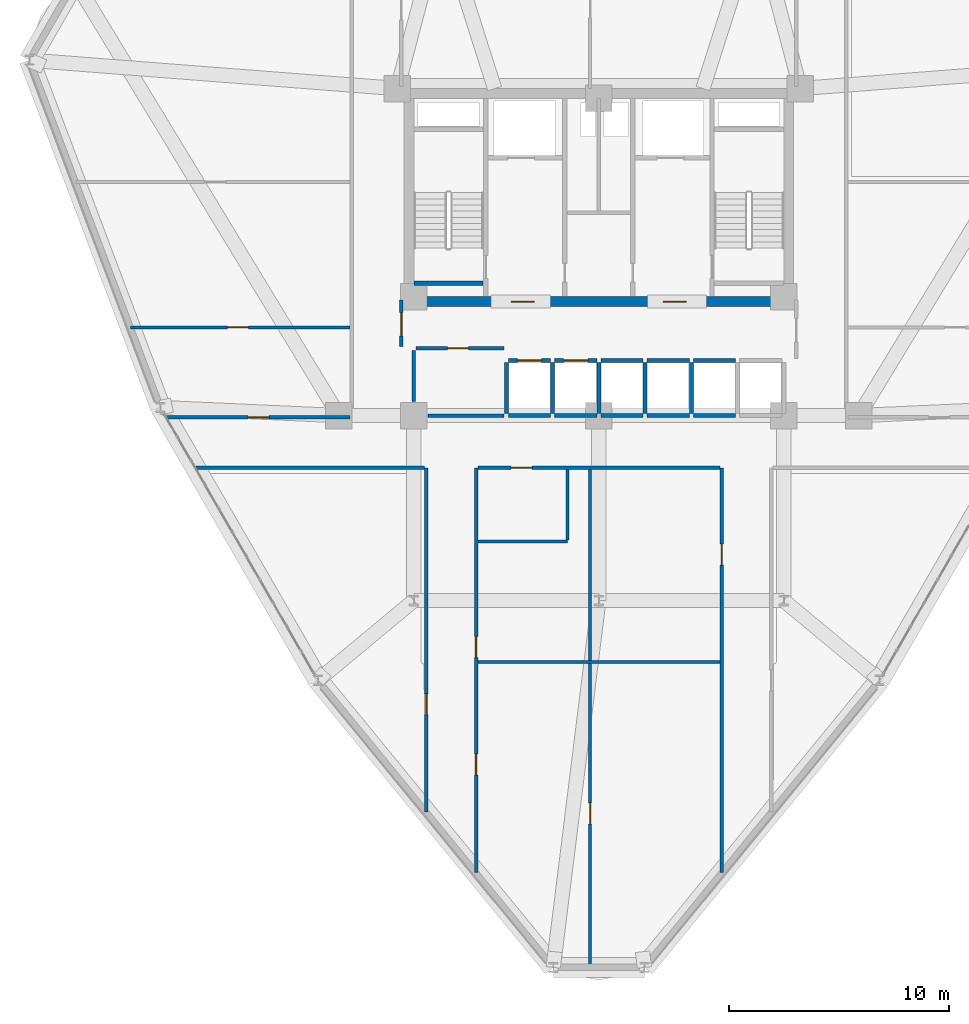
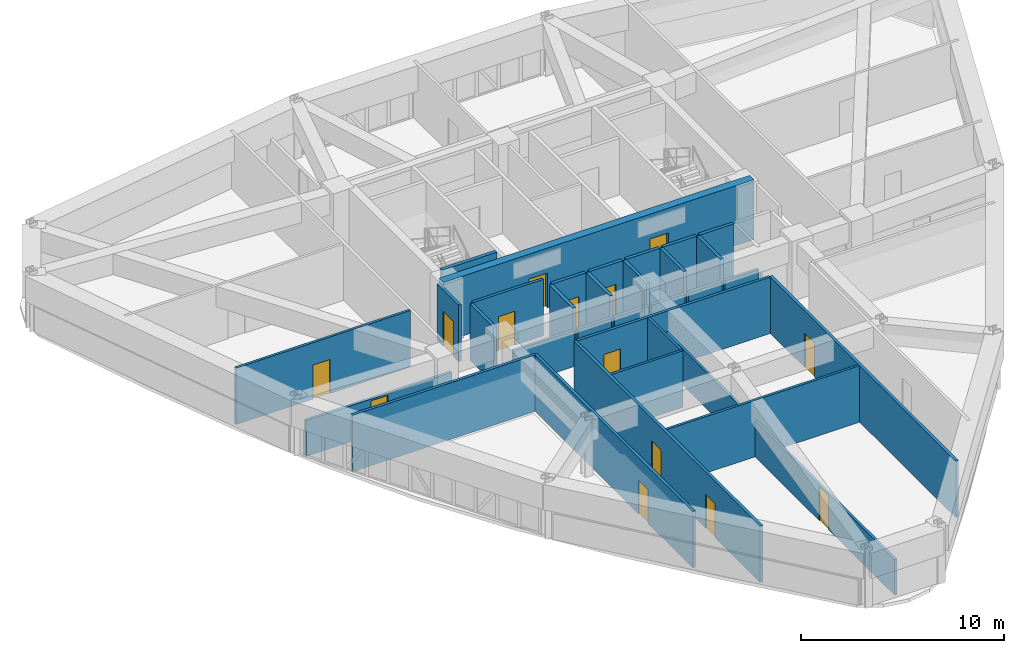
# One storey, part 12 of 16: 32 walls, 14 doors, 14 openings.
"""IFC4 building model written with IfcOpenShell, lengths in metres."""

from ifc_helpers import new_model, si_unit, derived_unit, direction, frame, frame_2d, origin, place, context, subcontext, project, spatial, rectangle, extrude, material, layer, layer_set, type_object, element, fill, save


model = new_model("IFC4")

# Units and contexts
model_context = context("Model", 3, precision=1e-05, world=origin(), true_north=direction((0.0, 1.0)))
body_context = subcontext(model_context, "Body", "Model", "MODEL_VIEW")
ifc_project = project(units=[si_unit("LENGTHUNIT", "METRE"), si_unit("AREAUNIT", "SQUARE_METRE"), si_unit("VOLUMEUNIT", "CUBIC_METRE"), si_unit("PLANEANGLEUNIT", "RADIAN"), si_unit("MASSUNIT", "GRAM", prefix="KILO"), derived_unit("THERMALTRANSMITTANCEUNIT", [(si_unit("POWERUNIT", "WATT"), 1), (si_unit("LENGTHUNIT", "METRE"), -2), (si_unit("THERMODYNAMICTEMPERATUREUNIT", "KELVIN"), -1)])], contexts=[model_context])

# Site, building, storey
site_placement = place(None, origin())
site = spatial("IfcSite", under=ifc_project, at=site_placement, CompositionType="ELEMENT")
building_placement = place(site_placement, origin())
building = spatial("IfcBuilding", under=site, at=building_placement, Name="Korsvarv Bourse and Concert Hall", CompositionType="ELEMENT")
storey_placement = place(building_placement, frame((0.0, 0.0, 106.199951171875)))
storey = spatial("IfcBuildingStorey", under=building, at=storey_placement, Name="L26", CompositionType="ELEMENT", Elevation=106.199951171875)

# Wall
ifc_material_1 = material(Name="Concrete C50/60", Category="concrete")
ifc_layer_1 = layer(ifc_material_1, 0.3798828125)
ifc_layer_set_1 = layer_set([ifc_layer_1], Name="Concrete C50/60")
wall_type_1 = type_object("IfcWallType", Name="WL-CORE-380", PredefinedType="SHEAR", material=ifc_layer_set_1)
wall_1_placement = place(storey_placement, frame((27.610107421875, 38.39990234375, 0.0), z_axis=(0.0, 0.0, 1.0), x_axis=(1.0, 0.0, 0.0)))
element("IfcWall", 1, at=wall_1_placement, inside=storey, type_object=wall_type_1, Name="L26 stair shaft structural wall W-L26-ST1-S", PredefinedType="SHEAR", context=body_context, shape_type="SweptSolid", body=[
    extrude(rectangle(XDim=3.139892578125, YDim=0.199951171875, at=frame_2d((1.56982421875, 0.0))), origin(), (0.0, 0.0, 1.0), 3.60009765625),
])

# Wall, openings, doors
ifc_material_2 = material(Name="Concrete C55/67", Category="concrete")
ifc_layer_2 = layer(ifc_material_2, 0.449951171875)
ifc_layer_set_2 = layer_set([ifc_layer_2], Name="Concrete C55/67")
wall_type_2 = type_object("IfcWallType", Name="WL-CORE-450", PredefinedType="SHEAR", material=ifc_layer_set_2)
wall_2_placement = place(storey_placement, frame((27.14990234375, 37.574951171875, 0.0), z_axis=(0.0, 0.0, 1.0), x_axis=(1.0, 0.0, 0.0)))
wall_2 = element("IfcWall", 2, at=wall_2_placement, inside=storey, type_object=wall_type_2, Name="L26 South Core Shear Wall", PredefinedType="SHEAR", context=body_context, shape_type="SweptSolid", body=[
    extrude(rectangle(XDim=17.7001953125, YDim=0.449951171875, at=frame_2d((8.85009765625, 0.0))), origin(), (0.0, 0.0, 1.0), 3.60009765625),
])
opening_1_placement = place(wall_2_placement, frame((4.875, 0.0, 0.0)))
opening_1 = element("IfcOpeningElement", 3, at=opening_1_placement, cuts=wall_2, Name="Opening D-01", PredefinedType="OPENING", context=body_context, shape_type="SweptSolid", body=[
    extrude(rectangle(XDim=1.050048828125, YDim=2.10009765625, at=frame_2d((0.52490234375, 1.050048828125))), frame((0.0, 0.23486328125, 0.0), z_axis=(0.0, -1.0, 0.0), x_axis=(1.0, 0.0, 0.0)), (0.0, 0.0, 1.0), 0.469970703125),
])
opening_2_placement = place(wall_2_placement, frame((11.77490234375, 0.0, 0.0)))
opening_2 = element("IfcOpeningElement", 4, at=opening_2_placement, cuts=wall_2, Name="Opening D-01", PredefinedType="OPENING", context=body_context, shape_type="SweptSolid", body=[
    extrude(rectangle(XDim=1.050048828125, YDim=2.10009765625, at=frame_2d((0.52490234375, 1.050048828125))), frame((0.0, 0.23486328125, 0.0), z_axis=(0.0, -1.0, 0.0), x_axis=(1.0, 0.0, 0.0)), (0.0, 0.0, 1.0), 0.469970703125),
])
ifc_material_3 = material(Name="Steel S355 fire door", Category="steel")
door_type_1 = type_object("IfcDoorType", Name="DR-FD60", OperationType="NOTDEFINED", PredefinedType="DOOR", material=ifc_material_3)
door_1_placement = place(opening_1_placement, frame((1.050048828125, 0.0, 0.0), z_axis=(0.0, 0.0, 1.0), x_axis=(-1.0, 0.0, 0.0)))
door_1 = element("IfcDoor", 5, at=door_1_placement, inside=storey, type_object=door_type_1, Name="L26 firefighting lobby fire door DR-L26-FFLW", OperationType="SINGLE_SWING_LEFT", OverallHeight=2.10009765625, OverallWidth=1.050048828125, PredefinedType="DOOR", context=body_context, shape_type="SweptSolid", body=[
    extrude(rectangle(XDim=1.050048828125, YDim=2.10009765625, at=frame_2d((0.52490234375, 1.050048828125))), frame((0.0, 0.02490234375, 0.0), z_axis=(0.0, -1.0, 0.0), x_axis=(1.0, 0.0, 0.0)), (0.0, 0.0, 1.0), 0.050048828125),
])
fill(opening_1, door_1)
door_2_placement = place(opening_2_placement, frame((1.050048828125, 0.0, 0.0), z_axis=(0.0, 0.0, 1.0), x_axis=(-1.0, 0.0, 0.0)))
door_2 = element("IfcDoor", 6, at=door_2_placement, inside=storey, type_object=door_type_1, Name="L26 firefighting lobby fire door DR-L26-FFLE", OperationType="SINGLE_SWING_RIGHT", OverallHeight=2.10009765625, OverallWidth=1.050048828125, PredefinedType="DOOR", context=body_context, shape_type="SweptSolid", body=[
    extrude(rectangle(XDim=1.050048828125, YDim=2.10009765625, at=frame_2d((0.52490234375, 1.050048828125))), frame((0.0, 0.02490234375, 0.0), z_axis=(0.0, -1.0, 0.0), x_axis=(1.0, 0.0, 0.0)), (0.0, 0.0, 1.0), 0.050048828125),
])
fill(opening_2, door_2)

# Walls
ifc_material_4 = material(Name="Double-stud fire-rated acoustic partition", Category="gypsum")
ifc_layer_3 = layer(ifc_material_4, 0.159912109375)
ifc_layer_set_3 = layer_set([ifc_layer_3], Name="Double-stud fire-rated acoustic partition")
wall_type_3 = type_object("IfcWallType", Name="WL-INT-EI60", PredefinedType="PARTITIONING", material=ifc_layer_set_3)
wall_3_placement = place(storey_placement, frame((28.25, 32.39990234375, 0.0), z_axis=(0.0, 0.0, 1.0), x_axis=(1.0, 0.0, 0.0)))
element("IfcWall", 7, at=wall_3_placement, inside=storey, type_object=wall_type_3, Name="L26 interior partition wall W-L26-FRD-S", PredefinedType="PARTITIONING", context=body_context, shape_type="SweptSolid", body=[
    extrude(rectangle(XDim=3.449951171875, YDim=0.159912109375, at=frame_2d((1.72509765625, 0.0))), origin(), (0.0, 0.0, 1.0), 2.16015625),
])
wall_4_placement = place(storey_placement, frame((27.60009765625, 33.050048828125, 0.0), z_axis=(0.0, 0.0, 1.0), x_axis=(0.0, 1.0, 0.0)))
element("IfcWall", 8, at=wall_4_placement, inside=storey, type_object=wall_type_3, Name="L26 interior partition wall W-L26-FRD-W", PredefinedType="PARTITIONING", context=body_context, shape_type="SweptSolid", body=[
    extrude(rectangle(XDim=2.31005859375, YDim=0.159912109375, at=frame_2d((1.155029296875, 0.0))), origin(), (0.0, 0.0, 1.0), 3.400146484375),
])

# Wall, opening, door
wall_5_placement = place(storey_placement, frame((27.68994140625, 35.449951171875, 0.0), z_axis=(0.0, 0.0, 1.0), x_axis=(1.0, 0.0, 0.0)))
wall_5 = element("IfcWall", 9, at=wall_5_placement, inside=storey, type_object=wall_type_3, Name="L26 interior partition wall W-L26-FRD-N", PredefinedType="PARTITIONING", context=body_context, shape_type="SweptSolid", body=[
    extrude(rectangle(XDim=4.010009765625, YDim=0.159912109375, at=frame_2d((2.0048828125, 0.0))), origin(), (0.0, 0.0, 1.0), 3.400146484375),
])
opening_3_placement = place(wall_5_placement, frame((1.449951171875, 0.0, 0.0)))
opening_3 = element("IfcOpeningElement", 10, at=opening_3_placement, cuts=wall_5, Name="Opening D-03", PredefinedType="OPENING", context=body_context, shape_type="SweptSolid", body=[
    extrude(rectangle(XDim=0.949951171875, YDim=2.050048828125, at=frame_2d((0.47509765625, 1.02490234375))), frame((0.0, 0.08984375, 0.0), z_axis=(0.0, -1.0, 0.0), x_axis=(1.0, 0.0, 0.0)), (0.0, 0.0, 1.0), 0.179931640625),
])
ifc_material_5 = material(Name="Nordic oak acoustic office door", Category="wood")
door_type_2 = type_object("IfcDoorType", Name="DR-INT-1", OperationType="NOTDEFINED", PredefinedType="DOOR", material=ifc_material_5)
door_3_placement = place(opening_3_placement, origin())
door_3 = element("IfcDoor", 11, at=door_3_placement, inside=storey, type_object=door_type_2, Name="L26 interior door DR-L26-FRDN1", OperationType="SINGLE_SWING_LEFT", OverallHeight=2.050048828125, OverallWidth=0.949951171875, PredefinedType="DOOR", context=body_context, shape_type="SweptSolid", body=[
    extrude(rectangle(XDim=0.949951171875, YDim=2.050048828125, at=frame_2d((0.47509765625, 1.02490234375))), frame((0.0, 0.02490234375, 0.0), z_axis=(0.0, -1.0, 0.0), x_axis=(1.0, 0.0, 0.0)), (0.0, 0.0, 1.0), 0.050048828125),
])
fill(opening_3, door_3)

wall_6_placement = place(storey_placement, frame((27.0400390625, 35.5400390625, 0.0), z_axis=(0.0, 0.0, 1.0), x_axis=(0.0, 1.0, 0.0)))
wall_6 = element("IfcWall", 12, at=wall_6_placement, inside=storey, type_object=wall_type_3, Name="L26 interior partition wall W-L26-LOB-WL", PredefinedType="PARTITIONING", context=body_context, shape_type="SweptSolid", body=[
    extrude(rectangle(XDim=2.10986328125, YDim=0.159912109375, at=frame_2d((1.054931640625, 0.0))), origin(), (0.0, 0.0, 1.0), 3.400146484375),
])
opening_4_placement = place(wall_6_placement, frame((0.47998046875, 0.0, 0.0)))
opening_4 = element("IfcOpeningElement", 13, at=opening_4_placement, cuts=wall_6, Name="Opening D-01", PredefinedType="OPENING", context=body_context, shape_type="SweptSolid", body=[
    extrude(rectangle(XDim=1.050048828125, YDim=2.10009765625, at=frame_2d((0.52490234375, 1.050048828125))), frame((0.0, 0.08984375, 0.0), z_axis=(0.0, -1.0, 0.0), x_axis=(1.0, 0.0, 0.0)), (0.0, 0.0, 1.0), 0.179931640625),
])
door_4_placement = place(opening_4_placement, frame((1.050048828125, 0.0, 0.0), z_axis=(0.0, 0.0, 1.0), x_axis=(-1.0, 0.0, 0.0)))
door_4 = element("IfcDoor", 14, at=door_4_placement, inside=storey, type_object=door_type_1, Name="L26 interior door DR-L26-LOBW", OperationType="SINGLE_SWING_RIGHT", OverallHeight=2.10009765625, OverallWidth=1.050048828125, PredefinedType="DOOR", context=body_context, shape_type="SweptSolid", body=[
    extrude(rectangle(XDim=1.050048828125, YDim=2.10009765625, at=frame_2d((0.52490234375, 1.050048828125))), frame((0.0, 0.02490234375, 0.0), z_axis=(0.0, -1.0, 0.0), x_axis=(1.0, 0.0, 0.0)), (0.0, 0.0, 1.0), 0.050048828125),
])
fill(opening_4, door_4)

# Wall, openings, doors
wall_7_placement = place(storey_placement, frame((30.425048828125, 11.643798828125, 0.0), z_axis=(0.0, 0.0, 1.0), x_axis=(0.0, 1.0, 0.0)))
wall_7 = element("IfcWall", 15, at=wall_7_placement, inside=storey, type_object=wall_type_3, Name="L26 interior partition wall W-L26-TCOR-03", PredefinedType="PARTITIONING", context=body_context, shape_type="SweptSolid", body=[
    extrude(rectangle(XDim=18.38623046875, YDim=0.159912109375, at=frame_2d((9.193115234375, 0.0))), origin(), (0.0, 0.0, 1.0), 3.400146484375),
])
opening_5_placement = place(wall_7_placement, frame((4.43017578125, 0.0, 0.0)))
opening_5 = element("IfcOpeningElement", 16, at=opening_5_placement, cuts=wall_7, Name="Opening D-02", PredefinedType="OPENING", context=body_context, shape_type="SweptSolid", body=[
    extrude(rectangle(XDim=0.949951171875, YDim=2.050048828125, at=frame_2d((0.47509765625, 1.02490234375))), frame((0.0, 0.08984375, 0.0), z_axis=(0.0, -1.0, 0.0), x_axis=(1.0, 0.0, 0.0)), (0.0, 0.0, 1.0), 0.179931640625),
])
opening_6_placement = place(wall_7_placement, frame((9.76611328125, 0.0, 0.0)))
opening_6 = element("IfcOpeningElement", 17, at=opening_6_placement, cuts=wall_7, Name="Opening D-02", PredefinedType="OPENING", context=body_context, shape_type="SweptSolid", body=[
    extrude(rectangle(XDim=0.949951171875, YDim=2.050048828125, at=frame_2d((0.47509765625, 1.02490234375))), frame((0.0, 0.08984375, 0.0), z_axis=(0.0, -1.0, 0.0), x_axis=(1.0, 0.0, 0.0)), (0.0, 0.0, 1.0), 0.179931640625),
])
ifc_material_6 = material(Name="Timber and steel acoustic fire door", Category="wood")
door_type_3 = type_object("IfcDoorType", Name="DR-FD30", OperationType="NOTDEFINED", PredefinedType="DOOR", material=ifc_material_6)
door_5_placement = place(opening_5_placement, origin())
door_5 = element("IfcDoor", 18, at=door_5_placement, inside=storey, type_object=door_type_3, Name="L26 interior door DR-L26-TCOR-CC57", OperationType="SINGLE_SWING_RIGHT", OverallHeight=2.050048828125, OverallWidth=0.949951171875, PredefinedType="DOOR", context=body_context, shape_type="SweptSolid", body=[
    extrude(rectangle(XDim=0.949951171875, YDim=2.050048828125, at=frame_2d((0.47509765625, 1.02490234375))), frame((0.0, 0.02490234375, 0.0), z_axis=(0.0, -1.0, 0.0), x_axis=(1.0, 0.0, 0.0)), (0.0, 0.0, 1.0), 0.050048828125),
])
fill(opening_5, door_5)
door_6_placement = place(opening_6_placement, origin())
door_6 = element("IfcDoor", 19, at=door_6_placement, inside=storey, type_object=door_type_3, Name="L26 interior door DR-L26-TCOR-CC29", OperationType="SINGLE_SWING_LEFT", OverallHeight=2.050048828125, OverallWidth=0.949951171875, PredefinedType="DOOR", context=body_context, shape_type="SweptSolid", body=[
    extrude(rectangle(XDim=0.949951171875, YDim=2.050048828125, at=frame_2d((0.47509765625, 1.02490234375))), frame((0.0, 0.02490234375, 0.0), z_axis=(0.0, -1.0, 0.0), x_axis=(1.0, 0.0, 0.0)), (0.0, 0.0, 1.0), 0.050048828125),
])
fill(opening_6, door_6)

# Wall, opening, door
wall_8_placement = place(storey_placement, frame((41.574951171875, 11.643798828125, 0.0), z_axis=(0.0, 0.0, 1.0), x_axis=(0.0, 1.0, 0.0)))
wall_8 = element("IfcWall", 20, at=wall_8_placement, inside=storey, type_object=wall_type_3, Name="L26 interior partition wall W-L26-TCOR-04", PredefinedType="PARTITIONING", context=body_context, shape_type="SweptSolid", body=[
    extrude(rectangle(XDim=18.38623046875, YDim=0.159912109375, at=frame_2d((9.193115234375, 0.0))), origin(), (0.0, 0.0, 1.0), 3.400146484375),
])
opening_7_placement = place(wall_8_placement, frame((13.96630859375, 0.0, 0.0)))
opening_7 = element("IfcOpeningElement", 21, at=opening_7_placement, cuts=wall_8, Name="Opening D-02", PredefinedType="OPENING", context=body_context, shape_type="SweptSolid", body=[
    extrude(rectangle(XDim=0.949951171875, YDim=2.050048828125, at=frame_2d((0.47509765625, 1.02490234375))), frame((0.0, 0.08984375, 0.0), z_axis=(0.0, -1.0, 0.0), x_axis=(1.0, 0.0, 0.0)), (0.0, 0.0, 1.0), 0.179931640625),
])
door_7_placement = place(opening_7_placement, origin())
door_7 = element("IfcDoor", 22, at=door_7_placement, inside=storey, type_object=door_type_3, Name="L26 interior door DR-L26-TCOR-CC310", OperationType="SINGLE_SWING_RIGHT", OverallHeight=2.050048828125, OverallWidth=0.949951171875, PredefinedType="DOOR", context=body_context, shape_type="SweptSolid", body=[
    extrude(rectangle(XDim=0.949951171875, YDim=2.050048828125, at=frame_2d((0.47509765625, 1.02490234375))), frame((0.0, 0.02490234375, 0.0), z_axis=(0.0, -1.0, 0.0), x_axis=(1.0, 0.0, 0.0)), (0.0, 0.0, 1.0), 0.050048828125),
])
fill(opening_7, door_7)

wall_9_placement = place(storey_placement, frame((28.175048828125, 14.389892578125, 0.0), z_axis=(0.0, 0.0, 1.0), x_axis=(0.0, 1.0, 0.0)))
wall_9 = element("IfcWall", 23, at=wall_9_placement, inside=storey, type_object=wall_type_3, Name="L26 interior partition wall W-L26-TCOR-05", PredefinedType="PARTITIONING", context=body_context, shape_type="SweptSolid", body=[
    extrude(rectangle(XDim=15.64013671875, YDim=0.159912109375, at=frame_2d((7.820068359375, 0.0))), origin(), (0.0, 0.0, 1.0), 3.400146484375),
])
opening_8_placement = place(wall_9_placement, frame((4.427001953125, 0.0, 0.0)))
opening_8 = element("IfcOpeningElement", 24, at=opening_8_placement, cuts=wall_9, Name="Opening D-02", PredefinedType="OPENING", context=body_context, shape_type="SweptSolid", body=[
    extrude(rectangle(XDim=0.949951171875, YDim=2.050048828125, at=frame_2d((0.47509765625, 1.02490234375))), frame((0.0, 0.08984375, 0.0), z_axis=(0.0, -1.0, 0.0), x_axis=(1.0, 0.0, 0.0)), (0.0, 0.0, 1.0), 0.179931640625),
])
door_8_placement = place(opening_8_placement, origin())
door_8 = element("IfcDoor", 25, at=door_8_placement, inside=storey, type_object=door_type_3, Name="L26 interior door DR-L26-TCOR-CC111", OperationType="SINGLE_SWING_LEFT", OverallHeight=2.050048828125, OverallWidth=0.949951171875, PredefinedType="DOOR", context=body_context, shape_type="SweptSolid", body=[
    extrude(rectangle(XDim=0.949951171875, YDim=2.050048828125, at=frame_2d((0.47509765625, 1.02490234375))), frame((0.0, 0.02490234375, 0.0), z_axis=(0.0, -1.0, 0.0), x_axis=(1.0, 0.0, 0.0)), (0.0, 0.0, 1.0), 0.050048828125),
])
fill(opening_8, door_8)

wall_10_placement = place(storey_placement, frame((30.507080078125, 30.02490234375, 0.0), z_axis=(0.0, 0.0, 1.0), x_axis=(1.0, 0.0, 0.0)))
wall_10 = element("IfcWall", 26, at=wall_10_placement, inside=storey, type_object=wall_type_3, Name="L26 interior partition wall W-L26-TCOR-07", PredefinedType="PARTITIONING", context=body_context, shape_type="SweptSolid", body=[
    extrude(rectangle(XDim=10.98583984375, YDim=0.159912109375, at=frame_2d((5.492919921875, 0.0))), origin(), (0.0, 0.0, 1.0), 3.400146484375),
])
opening_9_placement = place(wall_10_placement, frame((1.51220703125, 0.0, 0.0)))
opening_9 = element("IfcOpeningElement", 27, at=opening_9_placement, cuts=wall_10, Name="Opening D-02", PredefinedType="OPENING", context=body_context, shape_type="SweptSolid", body=[
    extrude(rectangle(XDim=0.949951171875, YDim=2.050048828125, at=frame_2d((0.47509765625, 1.02490234375))), frame((0.0, 0.08984375, 0.0), z_axis=(0.0, -1.0, 0.0), x_axis=(1.0, 0.0, 0.0)), (0.0, 0.0, 1.0), 0.179931640625),
])
door_9_placement = place(opening_9_placement, origin())
door_9 = element("IfcDoor", 28, at=door_9_placement, inside=storey, type_object=door_type_3, Name="L26 interior door DR-L26-TCOR-RWC", OperationType="SINGLE_SWING_LEFT", OverallHeight=2.050048828125, OverallWidth=0.949951171875, PredefinedType="DOOR", context=body_context, shape_type="SweptSolid", body=[
    extrude(rectangle(XDim=0.949951171875, YDim=2.050048828125, at=frame_2d((0.47509765625, 1.02490234375))), frame((0.0, 0.02490234375, 0.0), z_axis=(0.0, -1.0, 0.0), x_axis=(1.0, 0.0, 0.0)), (0.0, 0.0, 1.0), 0.050048828125),
])
fill(opening_9, door_9)

# Wall
wall_11_placement = place(storey_placement, frame((17.701904296875, 30.02490234375, 0.0), z_axis=(0.0, 0.0, 1.0), x_axis=(1.0, 0.0, 0.0)))
element("IfcWall", 29, at=wall_11_placement, inside=storey, type_object=wall_type_3, Name="L26 interior partition wall W-L26-TCOR-08", PredefinedType="PARTITIONING", context=body_context, shape_type="SweptSolid", body=[
    extrude(rectangle(XDim=10.39111328125, YDim=0.159912109375, at=frame_2d((5.195556640625, 0.0))), origin(), (0.0, 0.0, 1.0), 3.400146484375),
])

# Wall, opening, door
wall_12_placement = place(storey_placement, frame((16.379638671875, 32.31494140625, 0.0), z_axis=(0.0, 0.0, 1.0), x_axis=(1.0, 0.0, 0.0)))
wall_12 = element("IfcWall", 30, at=wall_12_placement, inside=storey, type_object=wall_type_3, Name="L26 interior partition wall W-L26-TCOR-10", PredefinedType="PARTITIONING", context=body_context, shape_type="SweptSolid", body=[
    extrude(rectangle(XDim=8.3134765625, YDim=0.159912109375, at=frame_2d((4.15673828125, 0.0))), origin(), (0.0, 0.0, 1.0), 2.16015625),
])
opening_10_placement = place(wall_12_placement, frame((3.69580078125, 0.0, 0.0)))
opening_10 = element("IfcOpeningElement", 31, at=opening_10_placement, cuts=wall_12, Name="Opening D-02", PredefinedType="OPENING", context=body_context, shape_type="SweptSolid", body=[
    extrude(rectangle(XDim=0.949951171875, YDim=2.050048828125, at=frame_2d((0.47509765625, 1.02490234375))), frame((0.0, 0.08984375, 0.0), z_axis=(0.0, -1.0, 0.0), x_axis=(1.0, 0.0, 0.0)), (0.0, 0.0, 1.0), 0.179931640625),
])
door_10_placement = place(opening_10_placement, origin())
door_10 = element("IfcDoor", 32, at=door_10_placement, inside=storey, type_object=door_type_3, Name="L26 interior door DR-L26-TCOR-CC612", OperationType="SINGLE_SWING_RIGHT", OverallHeight=2.050048828125, OverallWidth=0.949951171875, PredefinedType="DOOR", context=body_context, shape_type="SweptSolid", body=[
    extrude(rectangle(XDim=0.949951171875, YDim=2.050048828125, at=frame_2d((0.47509765625, 1.02490234375))), frame((0.0, 0.02490234375, 0.0), z_axis=(0.0, -1.0, 0.0), x_axis=(1.0, 0.0, 0.0)), (0.0, 0.0, 1.0), 0.050048828125),
])
fill(opening_10, door_10)

ifc_material_7 = material(Name="Gypsum-clad autoclaved concrete shaft wall C30/37", Category="concrete")
ifc_layer_4 = layer(ifc_material_7, 0.179931640625)
ifc_layer_set_4 = layer_set([ifc_layer_4], Name="Gypsum-clad autoclaved concrete shaft wall C30/37")
wall_type_4 = type_object("IfcWallType", Name="WL-INT-EI90", PredefinedType="PARTITIONING", material=ifc_layer_set_4)
wall_13_placement = place(storey_placement, frame((31.889892578125, 34.89990234375, 0.0), z_axis=(0.0, 0.0, 1.0), x_axis=(1.0, 0.0, 0.0)))
wall_13 = element("IfcWall", 33, at=wall_13_placement, inside=storey, type_object=wall_type_4, Name="L26 interior partition wall W-L26-SHFN-PM1", PredefinedType="PARTITIONING", context=body_context, shape_type="SweptSolid", body=[
    extrude(rectangle(XDim=1.920166015625, YDim=0.179931640625, at=frame_2d((0.9599609375, 0.0))), origin(), (0.0, 0.0, 1.0), 3.400146484375),
])
opening_11_placement = place(wall_13_placement, frame((0.409912109375, 0.0, 0.0)))
opening_11 = element("IfcOpeningElement", 34, at=opening_11_placement, cuts=wall_13, Name="Opening LD-2", PredefinedType="OPENING", context=body_context, shape_type="SweptSolid", body=[
    extrude(rectangle(XDim=1.10009765625, YDim=2.10009765625, at=frame_2d((0.550048828125, 1.050048828125))), frame((0.0, 0.10009765625, 0.0), z_axis=(0.0, -1.0, 0.0), x_axis=(1.0, 0.0, 0.0)), (0.0, 0.0, 1.0), 0.199951171875),
])
ifc_material_8 = material(Name="Brushed stainless Steel S355 lift landing door", Category="steel")
door_type_4 = type_object("IfcDoorType", Name="DR-LIFT-P", OperationType="DOUBLE_DOOR_SLIDING", PredefinedType="DOOR", material=ifc_material_8)
door_11_placement = place(opening_11_placement, origin())
door_11 = element("IfcDoor", 35, at=door_11_placement, inside=storey, type_object=door_type_4, Name="L26 lift sliding landing door LD-L26-PM1", OperationType="DOUBLE_DOOR_SLIDING", OverallHeight=2.10009765625, OverallWidth=1.10009765625, PredefinedType="DOOR", context=body_context, shape_type="SweptSolid", body=[
    extrude(rectangle(XDim=1.10009765625, YDim=2.10009765625, at=frame_2d((0.550048828125, 1.050048828125))), frame((0.0, 0.02490234375, 0.0), z_axis=(0.0, -1.0, 0.0), x_axis=(1.0, 0.0, 0.0)), (0.0, 0.0, 1.0), 0.050048828125),
])
fill(opening_11, door_11)

# Walls
wall_14_placement = place(storey_placement, frame((31.889892578125, 32.39990234375, 0.0), z_axis=(0.0, 0.0, 1.0), x_axis=(1.0, 0.0, 0.0)))
element("IfcWall", 36, at=wall_14_placement, inside=storey, type_object=wall_type_4, Name="L26 interior partition wall W-L26-SHFS-PM1", PredefinedType="PARTITIONING", context=body_context, shape_type="SweptSolid", body=[
    extrude(rectangle(XDim=1.920166015625, YDim=0.179931640625, at=frame_2d((0.9599609375, 0.0))), origin(), (0.0, 0.0, 1.0), 2.16015625),
])
wall_15_placement = place(storey_placement, frame((31.800048828125, 32.489990234375, 0.0), z_axis=(0.0, 0.0, 1.0), x_axis=(0.0, 1.0, 0.0)))
element("IfcWall", 37, at=wall_15_placement, inside=storey, type_object=wall_type_4, Name="L26 interior partition wall W-L26-SHFW-PM1", PredefinedType="PARTITIONING", context=body_context, shape_type="SweptSolid", body=[
    extrude(rectangle(XDim=2.320068359375, YDim=0.179931640625, at=frame_2d((1.16015625, 0.0))), origin(), (0.0, 0.0, 1.0), 3.400146484375),
])

# Wall, opening, door
wall_16_placement = place(storey_placement, frame((33.989990234375, 34.89990234375, 0.0), z_axis=(0.0, 0.0, 1.0), x_axis=(1.0, 0.0, 0.0)))
wall_16 = element("IfcWall", 38, at=wall_16_placement, inside=storey, type_object=wall_type_4, Name="L26 interior partition wall W-L26-SHFN-PM2", PredefinedType="PARTITIONING", context=body_context, shape_type="SweptSolid", body=[
    extrude(rectangle(XDim=1.919921875, YDim=0.179931640625, at=frame_2d((0.9599609375, 0.0))), origin(), (0.0, 0.0, 1.0), 3.400146484375),
])
opening_12_placement = place(wall_16_placement, frame((0.409912109375, 0.0, 0.0)))
opening_12 = element("IfcOpeningElement", 39, at=opening_12_placement, cuts=wall_16, Name="Opening LD-2", PredefinedType="OPENING", context=body_context, shape_type="SweptSolid", body=[
    extrude(rectangle(XDim=1.10009765625, YDim=2.10009765625, at=frame_2d((0.550048828125, 1.050048828125))), frame((0.0, 0.10009765625, 0.0), z_axis=(0.0, -1.0, 0.0), x_axis=(1.0, 0.0, 0.0)), (0.0, 0.0, 1.0), 0.199951171875),
])
door_12_placement = place(opening_12_placement, origin())
door_12 = element("IfcDoor", 40, at=door_12_placement, inside=storey, type_object=door_type_4, Name="L26 lift sliding landing door LD-L26-PM2", OperationType="DOUBLE_DOOR_SLIDING", OverallHeight=2.10009765625, OverallWidth=1.10009765625, PredefinedType="DOOR", context=body_context, shape_type="SweptSolid", body=[
    extrude(rectangle(XDim=1.10009765625, YDim=2.10009765625, at=frame_2d((0.550048828125, 1.050048828125))), frame((0.0, 0.02490234375, 0.0), z_axis=(0.0, -1.0, 0.0), x_axis=(1.0, 0.0, 0.0)), (0.0, 0.0, 1.0), 0.050048828125),
])
fill(opening_12, door_12)

# Walls
wall_17_placement = place(storey_placement, frame((33.989990234375, 32.39990234375, 0.0), z_axis=(0.0, 0.0, 1.0), x_axis=(1.0, 0.0, 0.0)))
element("IfcWall", 41, at=wall_17_placement, inside=storey, type_object=wall_type_4, Name="L26 interior partition wall W-L26-SHFS-PM2", PredefinedType="PARTITIONING", context=body_context, shape_type="SweptSolid", body=[
    extrude(rectangle(XDim=1.919921875, YDim=0.179931640625, at=frame_2d((0.9599609375, 0.0))), origin(), (0.0, 0.0, 1.0), 2.16015625),
])
wall_18_placement = place(storey_placement, frame((33.89990234375, 32.489990234375, 0.0), z_axis=(0.0, 0.0, 1.0), x_axis=(0.0, 1.0, 0.0)))
element("IfcWall", 42, at=wall_18_placement, inside=storey, type_object=wall_type_4, Name="L26 interior partition wall W-L26-SHFW-PM2", PredefinedType="PARTITIONING", context=body_context, shape_type="SweptSolid", body=[
    extrude(rectangle(XDim=2.320068359375, YDim=0.179931640625, at=frame_2d((1.16015625, 0.0))), origin(), (0.0, 0.0, 1.0), 3.400146484375),
])
wall_19_placement = place(storey_placement, frame((36.090087890625, 34.89990234375, 0.0), z_axis=(0.0, 0.0, 1.0), x_axis=(1.0, 0.0, 0.0)))
element("IfcWall", 43, at=wall_19_placement, inside=storey, type_object=wall_type_4, Name="L26 interior partition wall W-L26-SHFN-PH1", PredefinedType="PARTITIONING", context=body_context, shape_type="SweptSolid", body=[
    extrude(rectangle(XDim=1.919921875, YDim=0.179931640625, at=frame_2d((0.9599609375, 0.0))), origin(), (0.0, 0.0, 1.0), 3.400146484375),
])
wall_20_placement = place(storey_placement, frame((36.090087890625, 32.39990234375, 0.0), z_axis=(0.0, 0.0, 1.0), x_axis=(1.0, 0.0, 0.0)))
element("IfcWall", 44, at=wall_20_placement, inside=storey, type_object=wall_type_4, Name="L26 interior partition wall W-L26-SHFS-PH1", PredefinedType="PARTITIONING", context=body_context, shape_type="SweptSolid", body=[
    extrude(rectangle(XDim=1.919921875, YDim=0.179931640625, at=frame_2d((0.9599609375, 0.0))), origin(), (0.0, 0.0, 1.0), 2.16015625),
])
wall_21_placement = place(storey_placement, frame((36.0, 32.489990234375, 0.0), z_axis=(0.0, 0.0, 1.0), x_axis=(0.0, 1.0, 0.0)))
element("IfcWall", 45, at=wall_21_placement, inside=storey, type_object=wall_type_4, Name="L26 interior partition wall W-L26-SHFW-PH1", PredefinedType="PARTITIONING", context=body_context, shape_type="SweptSolid", body=[
    extrude(rectangle(XDim=2.320068359375, YDim=0.179931640625, at=frame_2d((1.16015625, 0.0))), origin(), (0.0, 0.0, 1.0), 3.400146484375),
])
wall_22_placement = place(storey_placement, frame((38.18994140625, 34.89990234375, 0.0), z_axis=(0.0, 0.0, 1.0), x_axis=(1.0, 0.0, 0.0)))
element("IfcWall", 46, at=wall_22_placement, inside=storey, type_object=wall_type_4, Name="L26 interior partition wall W-L26-SHFN-PH2", PredefinedType="PARTITIONING", context=body_context, shape_type="SweptSolid", body=[
    extrude(rectangle(XDim=1.920166015625, YDim=0.179931640625, at=frame_2d((0.9599609375, 0.0))), origin(), (0.0, 0.0, 1.0), 3.400146484375),
])
wall_23_placement = place(storey_placement, frame((38.18994140625, 32.39990234375, 0.0), z_axis=(0.0, 0.0, 1.0), x_axis=(1.0, 0.0, 0.0)))
element("IfcWall", 47, at=wall_23_placement, inside=storey, type_object=wall_type_4, Name="L26 interior partition wall W-L26-SHFS-PH2", PredefinedType="PARTITIONING", context=body_context, shape_type="SweptSolid", body=[
    extrude(rectangle(XDim=1.920166015625, YDim=0.179931640625, at=frame_2d((0.9599609375, 0.0))), origin(), (0.0, 0.0, 1.0), 2.16015625),
])
wall_24_placement = place(storey_placement, frame((38.10009765625, 32.489990234375, 0.0), z_axis=(0.0, 0.0, 1.0), x_axis=(0.0, 1.0, 0.0)))
element("IfcWall", 48, at=wall_24_placement, inside=storey, type_object=wall_type_4, Name="L26 interior partition wall W-L26-SHFW-PH2", PredefinedType="PARTITIONING", context=body_context, shape_type="SweptSolid", body=[
    extrude(rectangle(XDim=2.320068359375, YDim=0.179931640625, at=frame_2d((1.16015625, 0.0))), origin(), (0.0, 0.0, 1.0), 3.400146484375),
])
wall_25_placement = place(storey_placement, frame((40.2900390625, 34.89990234375, 0.0), z_axis=(0.0, 0.0, 1.0), x_axis=(1.0, 0.0, 0.0)))
element("IfcWall", 49, at=wall_25_placement, inside=storey, type_object=wall_type_4, Name="L26 interior partition wall W-L26-SHFN-PO1", PredefinedType="PARTITIONING", context=body_context, shape_type="SweptSolid", body=[
    extrude(rectangle(XDim=1.919921875, YDim=0.179931640625, at=frame_2d((0.9599609375, 0.0))), origin(), (0.0, 0.0, 1.0), 3.400146484375),
])
wall_26_placement = place(storey_placement, frame((40.2900390625, 32.39990234375, 0.0), z_axis=(0.0, 0.0, 1.0), x_axis=(1.0, 0.0, 0.0)))
element("IfcWall", 50, at=wall_26_placement, inside=storey, type_object=wall_type_4, Name="L26 interior partition wall W-L26-SHFS-PO1", PredefinedType="PARTITIONING", context=body_context, shape_type="SweptSolid", body=[
    extrude(rectangle(XDim=1.919921875, YDim=0.179931640625, at=frame_2d((0.9599609375, 0.0))), origin(), (0.0, 0.0, 1.0), 2.16015625),
])
wall_27_placement = place(storey_placement, frame((40.199951171875, 32.489990234375, 0.0), z_axis=(0.0, 0.0, 1.0), x_axis=(0.0, 1.0, 0.0)))
element("IfcWall", 51, at=wall_27_placement, inside=storey, type_object=wall_type_4, Name="L26 interior partition wall W-L26-SHFW-PO1", PredefinedType="PARTITIONING", context=body_context, shape_type="SweptSolid", body=[
    extrude(rectangle(XDim=2.320068359375, YDim=0.179931640625, at=frame_2d((1.16015625, 0.0))), origin(), (0.0, 0.0, 1.0), 3.400146484375),
])

# Wall, opening, door
ifc_material_9 = material(Name="Insulated steel-stud office acoustic partition", Category="gypsum")
ifc_layer_5 = layer(ifc_material_9, 0.139892578125)
ifc_layer_set_5 = layer_set([ifc_layer_5], Name="Insulated steel-stud office acoustic partition")
wall_type_5 = type_object("IfcWallType", Name="WL-INT-P1", PredefinedType="PARTITIONING", material=ifc_layer_set_5)
wall_28_placement = place(storey_placement, frame((35.60498046875, 7.36376953125, 0.0), z_axis=(0.0, 0.0, 1.0), x_axis=(0.0, 1.0, 0.0)))
wall_28 = element("IfcWall", 52, at=wall_28_placement, inside=storey, type_object=wall_type_5, Name="L26 interior partition wall W-L26-TCOR-14", PredefinedType="PARTITIONING", context=body_context, shape_type="SweptSolid", body=[
    extrude(rectangle(XDim=22.579345703125, YDim=0.139892578125, at=frame_2d((11.28955078125, 0.0))), origin(), (0.0, 0.0, 1.0), 2.16015625),
])
opening_13_placement = place(wall_28_placement, frame((6.498046875, 0.0, 0.0)))
opening_13 = element("IfcOpeningElement", 53, at=opening_13_placement, cuts=wall_28, Name="Opening D-03", PredefinedType="OPENING", context=body_context, shape_type="SweptSolid", body=[
    extrude(rectangle(XDim=0.949951171875, YDim=2.050048828125, at=frame_2d((0.47509765625, 1.02490234375))), frame((0.0, 0.080078125, 0.0), z_axis=(0.0, -1.0, 0.0), x_axis=(1.0, 0.0, 0.0)), (0.0, 0.0, 1.0), 0.159912109375),
])
door_13_placement = place(opening_13_placement, origin())
door_13 = element("IfcDoor", 54, at=door_13_placement, inside=storey, type_object=door_type_2, Name="L26 interior door DR-L26-TCOR-RM88", OperationType="SINGLE_SWING_LEFT", OverallHeight=2.050048828125, OverallWidth=0.949951171875, PredefinedType="DOOR", context=body_context, shape_type="SweptSolid", body=[
    extrude(rectangle(XDim=0.949951171875, YDim=2.050048828125, at=frame_2d((0.47509765625, 1.02490234375))), frame((0.0, 0.02490234375, 0.0), z_axis=(0.0, -1.0, 0.0), x_axis=(1.0, 0.0, 0.0)), (0.0, 0.0, 1.0), 0.050048828125),
])
fill(opening_13, door_13)

# Wall
wall_29_placement = place(storey_placement, frame((30.507080078125, 21.205078125, 0.0), z_axis=(0.0, 0.0, 1.0), x_axis=(1.0, 0.0, 0.0)))
element("IfcWall", 55, at=wall_29_placement, inside=storey, type_object=wall_type_5, Name="L26 interior partition wall W-L26-TCOR-17", PredefinedType="PARTITIONING", context=body_context, shape_type="SweptSolid", body=[
    extrude(rectangle(XDim=10.98583984375, YDim=0.139892578125, at=frame_2d((5.492919921875, 0.0))), origin(), (0.0, 0.0, 1.0), 3.400146484375),
])

# Wall, opening, door
wall_30_placement = place(storey_placement, frame((14.746337890625, 36.405029296875, 0.0), z_axis=(0.0, 0.0, 1.0), x_axis=(1.0, 0.0, 0.0)))
wall_30 = element("IfcWall", 56, at=wall_30_placement, inside=storey, type_object=wall_type_5, Name="L26 interior partition wall W-L26-TCOR-19", PredefinedType="PARTITIONING", context=body_context, shape_type="SweptSolid", body=[
    extrude(rectangle(XDim=9.94677734375, YDim=0.139892578125, at=frame_2d((4.973388671875, 0.0))), origin(), (0.0, 0.0, 1.0), 3.400146484375),
])
opening_14_placement = place(wall_30_placement, frame((4.39111328125, 0.0, 0.0)))
opening_14 = element("IfcOpeningElement", 57, at=opening_14_placement, cuts=wall_30, Name="Opening D-03", PredefinedType="OPENING", context=body_context, shape_type="SweptSolid", body=[
    extrude(rectangle(XDim=0.949951171875, YDim=2.050048828125, at=frame_2d((0.47509765625, 1.02490234375))), frame((0.0, 0.080078125, 0.0), z_axis=(0.0, -1.0, 0.0), x_axis=(1.0, 0.0, 0.0)), (0.0, 0.0, 1.0), 0.159912109375),
])
door_14_placement = place(opening_14_placement, origin())
door_14 = element("IfcDoor", 58, at=door_14_placement, inside=storey, type_object=door_type_2, Name="L26 interior door DR-L26-TCOR-CC713", OperationType="SINGLE_SWING_LEFT", OverallHeight=2.050048828125, OverallWidth=0.949951171875, PredefinedType="DOOR", context=body_context, shape_type="SweptSolid", body=[
    extrude(rectangle(XDim=0.949951171875, YDim=2.050048828125, at=frame_2d((0.47509765625, 1.02490234375))), frame((0.0, 0.02490234375, 0.0), z_axis=(0.0, -1.0, 0.0), x_axis=(1.0, 0.0, 0.0)), (0.0, 0.0, 1.0), 0.050048828125),
])
fill(opening_14, door_14)

# Walls
wall_31_placement = place(storey_placement, frame((30.507080078125, 26.675048828125, 0.0), z_axis=(0.0, 0.0, 1.0), x_axis=(1.0, 0.0, 0.0)))
element("IfcWall", 59, at=wall_31_placement, inside=storey, type_object=wall_type_5, Name="L26 interior partition wall W-L26-TCOR-21", PredefinedType="PARTITIONING", context=body_context, shape_type="SweptSolid", body=[
    extrude(rectangle(XDim=4.072998046875, YDim=0.139892578125, at=frame_2d((2.03662109375, 0.0))), origin(), (0.0, 0.0, 1.0), 3.400146484375),
])
wall_32_placement = place(storey_placement, frame((34.574951171875, 26.7470703125, 0.0), z_axis=(0.0, 0.0, 1.0), x_axis=(0.0, 1.0, 0.0)))
element("IfcWall", 60, at=wall_32_placement, inside=storey, type_object=wall_type_5, Name="L26 interior partition wall W-L26-TCOR-22", PredefinedType="PARTITIONING", context=body_context, shape_type="SweptSolid", body=[
    extrude(rectangle(XDim=3.196044921875, YDim=0.139892578125, at=frame_2d((1.59814453125, 0.0))), origin(), (0.0, 0.0, 1.0), 3.400146484375),
])

save(model, "model.ifc")
